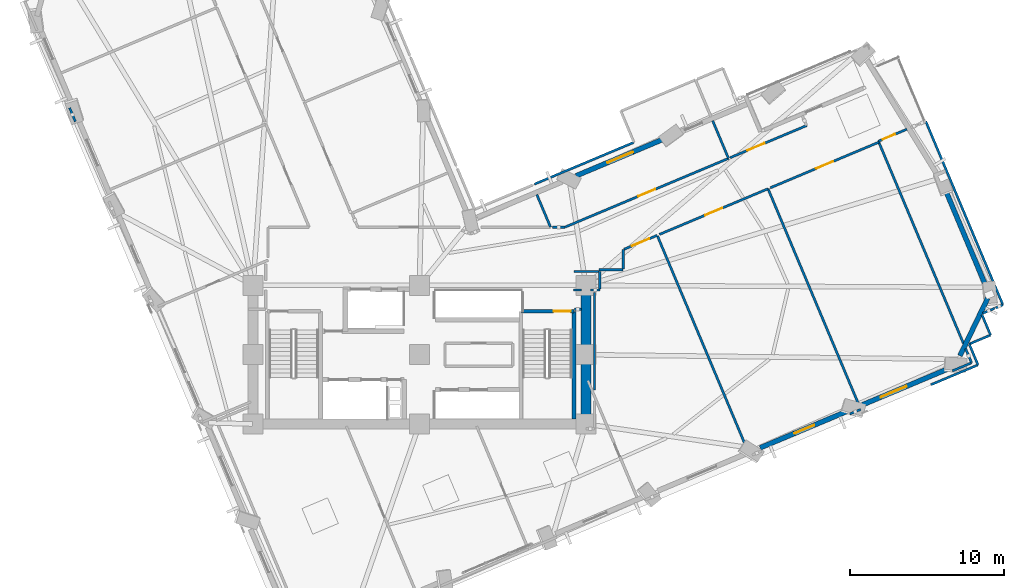
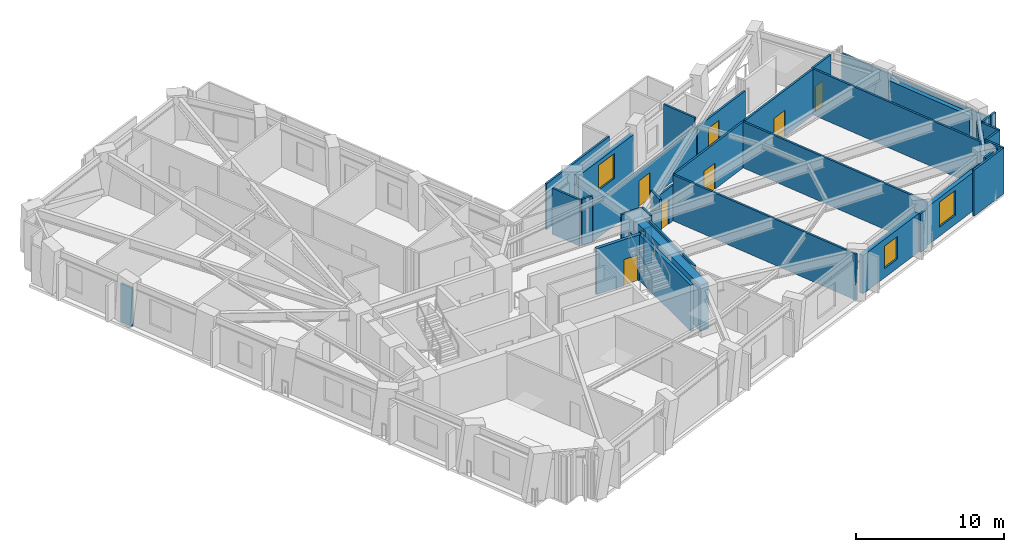
# One storey, part 12 of 18: 40 walls, 7 doors, 3 windows, 10 openings.
"""IFC4 building model written with IfcOpenShell, lengths in metres."""

from ifc_helpers import new_model, si_unit, direction, frame, frame_2d, origin, place, context, subcontext, project, spatial, rectangle, extrude, material, layer, layer_set, type_object, element, fill, save


model = new_model("IFC4")

# Units and contexts
model_context = context("Model", 3, precision=1e-05, world=origin(), true_north=direction((0.0, 1.0)))
body_context = subcontext(model_context, "Body", "Model", "MODEL_VIEW")
ifc_project = project(units=[si_unit("LENGTHUNIT", "METRE"), si_unit("AREAUNIT", "SQUARE_METRE"), si_unit("VOLUMEUNIT", "CUBIC_METRE"), si_unit("PLANEANGLEUNIT", "RADIAN"), si_unit("MASSUNIT", "GRAM", prefix="KILO")], contexts=[model_context])

# Site, building, storey
site_placement = place(None, origin())
site = spatial("IfcSite", under=ifc_project, at=site_placement, CompositionType="ELEMENT")
building_placement = place(site_placement, origin())
building = spatial("IfcBuilding", under=site, at=building_placement, Name="Gaonmaruhae Medical Tower", CompositionType="ELEMENT")
storey_placement = place(building_placement, frame((0.0, 0.0, 120.39990234375)))
storey = spatial("IfcBuildingStorey", under=building, at=storey_placement, Name="L28", CompositionType="ELEMENT", Elevation=120.39990234375)

# Wall
ifc_material_1 = material(Name="Concrete C60/75", Category="concrete")
ifc_layer_1 = layer(ifc_material_1, 0.64990234375)
ifc_layer_set_1 = layer_set([ifc_layer_1], Name="Concrete C60/75")
wall_type_1 = type_object("IfcWallType", Name="CW-650 Zone 2 Core Shear Wall", PredefinedType="SHEAR", material=ifc_layer_set_1)
wall_1_placement = place(storey_placement, frame((35.60009765625, 7.800048828125, 0.0), z_axis=(0.0, 0.0, 1.0), x_axis=(0.0, 1.0, 0.0)))
element("IfcWall", 1, at=wall_1_placement, inside=storey, type_object=wall_type_1, Name="L28 Core Shear Wall CSW-E1", PredefinedType="SHEAR", context=body_context, shape_type="SweptSolid", body=[
    extrude(rectangle(XDim=9.0, YDim=0.64990234375, at=frame_2d((4.5, 0.0))), origin(), (0.0, 0.0, 1.0), 3.780029296875),
])

# Wall, opening, window
ifc_material_2 = material(Name="Precast concrete C45/55", Category="concrete")
ifc_layer_2 = layer(ifc_material_2, 0.320068359375)
ifc_layer_set_2 = layer_set([ifc_layer_2], Name="Precast concrete C45/55")
wall_type_2 = type_object("IfcWallType", Name="EW-320 Lower Precast Masonry-Frame Facade Wall", PredefinedType="SOLIDWALL", material=ifc_layer_set_2)
wall_2_placement = place(storey_placement, frame((52.63671875, 8.66650390625, 0.0), z_axis=(0.0, 0.0, 1.0), x_axis=(-0.921850291978, -0.387546176836, 0.0)))
wall_2 = element("IfcWall", 2, at=wall_2_placement, inside=storey, type_object=wall_type_2, Name="L28 Precast Masonry-Frame Wall S05-S06", PredefinedType="SOLIDWALL", context=body_context, shape_type="SweptSolid", body=[
    extrude(rectangle(XDim=6.218505859375, YDim=0.320068359375, at=frame_2d((3.109375, 0.0))), origin(), (0.0, 0.0, 1.0), 3.1650390625),
])
opening_1_placement = place(wall_2_placement, frame((2.4111328125, 0.0, 0.75)))
opening_1 = element("IfcOpeningElement", 3, at=opening_1_placement, cuts=wall_2, Name="Opening WN-03", PredefinedType="OPENING", context=body_context, shape_type="SweptSolid", body=[
    extrude(rectangle(XDim=1.39990234375, YDim=1.85009765625, at=frame_2d((0.699951171875, 0.925048828125))), frame((0.0, 0.169921875, 0.0), z_axis=(0.0, -1.0, 0.0), x_axis=(1.0, 0.0, 0.0)), (0.0, 0.0, 1.0), 0.340087890625),
])
ifc_material_3 = material(Name="Anodised aluminium and Low-E double glazing", Category="aluminium")
window_type_1 = type_object("IfcWindowType", Name="WN-03 Isolation Ward Punched Window 1400x1850", PartitioningType="SINGLE_PANEL", PredefinedType="WINDOW", material=ifc_material_3)
window_1_placement = place(opening_1_placement, origin())
window_1 = element("IfcWindow", 4, at=window_1_placement, inside=storey, type_object=window_type_1, Name="L28 Modular Facade Window S05", OverallHeight=1.85009765625, OverallWidth=1.39990234375, PartitioningType="SINGLE_PANEL", PredefinedType="WINDOW", context=body_context, shape_type="SweptSolid", body=[
    extrude(rectangle(XDim=1.39990234375, YDim=1.85009765625, at=frame_2d((0.699951171875, 0.925048828125))), frame((0.0, 0.030029296875, 0.0), z_axis=(0.0, -1.0, 0.0), x_axis=(1.0, 0.0, 0.0)), (0.0, 0.0, 1.0), 0.06005859375),
])
fill(opening_1, window_1)

wall_3_placement = place(storey_placement, frame((59.288330078125, 11.46240234375, 0.0), z_axis=(0.0, 0.0, 1.0), x_axis=(-0.92186784653, -0.387504417438, 0.0)))
wall_3 = element("IfcWall", 5, at=wall_3_placement, inside=storey, type_object=wall_type_2, Name="L28 Precast Masonry-Frame Wall S06-S07", PredefinedType="SOLIDWALL", context=body_context, shape_type="SweptSolid", body=[
    extrude(rectangle(XDim=6.242431640625, YDim=0.320068359375, at=frame_2d((3.12109375, 0.0))), origin(), (0.0, 0.0, 1.0), 3.1650390625),
])
opening_2_placement = place(wall_3_placement, frame((3.14013671875, 0.0, 0.75)))
opening_2 = element("IfcOpeningElement", 6, at=opening_2_placement, cuts=wall_3, Name="Opening WN-04", PredefinedType="OPENING", context=body_context, shape_type="SweptSolid", body=[
    extrude(rectangle(XDim=1.800048828125, YDim=2.050048828125, at=frame_2d((0.89990234375, 1.02490234375))), frame((0.0, 0.169921875, 0.0), z_axis=(0.0, -1.0, 0.0), x_axis=(1.0, 0.0, 0.0)), (0.0, 0.0, 1.0), 0.340087890625),
])
window_type_2 = type_object("IfcWindowType", Name="WN-04 Clinic & Consult Punched Window 1800x2050", PartitioningType="SINGLE_PANEL", PredefinedType="WINDOW", material=ifc_material_3)
window_2_placement = place(opening_2_placement, origin())
window_2 = element("IfcWindow", 7, at=window_2_placement, inside=storey, type_object=window_type_2, Name="L28 Modular Facade Window S06", OverallHeight=2.050048828125, OverallWidth=1.800048828125, PartitioningType="SINGLE_PANEL", PredefinedType="WINDOW", context=body_context, shape_type="SweptSolid", body=[
    extrude(rectangle(XDim=1.800048828125, YDim=2.050048828125, at=frame_2d((0.89990234375, 1.02490234375))), frame((0.0, 0.030029296875, 0.0), z_axis=(0.0, -1.0, 0.0), x_axis=(1.0, 0.0, 0.0)), (0.0, 0.0, 1.0), 0.06005859375),
])
fill(opening_2, window_2)

# Walls
wall_4_placement = place(storey_placement, frame((61.6748046875, 15.9716796875, 0.0), z_axis=(0.0, 0.0, 1.0), x_axis=(-0.434493746085, -0.900674849551, 0.0)))
element("IfcWall", 8, at=wall_4_placement, inside=storey, type_object=wall_type_2, Name="L28 Precast Masonry-Frame Wall S07-E01", PredefinedType="SOLIDWALL", context=body_context, shape_type="SweptSolid", body=[
    extrude(rectangle(XDim=4.14501953125, YDim=0.320068359375, at=frame_2d((2.072509765625, 0.0))), origin(), (0.0, 0.0, 1.0), 3.1650390625),
])
wall_5_placement = place(storey_placement, frame((58.87841796875, 23.114501953125, 0.0), z_axis=(0.0, 0.0, 1.0), x_axis=(0.387495228719, -0.921871708927, 0.0)))
element("IfcWall", 9, at=wall_5_placement, inside=storey, type_object=wall_type_2, Name="L28 Precast Masonry-Frame Wall E01-E02", PredefinedType="SOLIDWALL", context=body_context, shape_type="SweptSolid", body=[
    extrude(rectangle(XDim=6.83984375, YDim=0.320068359375, at=frame_2d((3.419921875, 0.0))), origin(), (0.0, 0.0, 1.0), 3.1650390625),
])

# Wall, opening, window
wall_6_placement = place(storey_placement, frame((34.959716796875, 23.906982421875, 0.0), z_axis=(0.0, 0.0, 1.0), x_axis=(0.921853504895, 0.38753853423, 0.0)))
wall_6 = element("IfcWall", 10, at=wall_6_placement, inside=storey, type_object=wall_type_2, Name="L28 Precast Masonry-Frame Wall EN02-EN03", PredefinedType="SOLIDWALL", context=body_context, shape_type="SweptSolid", body=[
    extrude(rectangle(XDim=6.2109375, YDim=0.320068359375, at=frame_2d((3.10546875, 0.0))), origin(), (0.0, 0.0, 1.0), 3.1650390625),
])
opening_3_placement = place(wall_6_placement, frame((2.20458984375, 0.0, 0.75)))
opening_3 = element("IfcOpeningElement", 11, at=opening_3_placement, cuts=wall_6, Name="Opening WN-04", PredefinedType="OPENING", context=body_context, shape_type="SweptSolid", body=[
    extrude(rectangle(XDim=1.800048828125, YDim=2.050048828125, at=frame_2d((0.89990234375, 1.02490234375))), frame((0.0, 0.169921875, 0.0), z_axis=(0.0, -1.0, 0.0), x_axis=(1.0, 0.0, 0.0)), (0.0, 0.0, 1.0), 0.340087890625),
])
window_3_placement = place(opening_3_placement, origin())
window_3 = element("IfcWindow", 12, at=window_3_placement, inside=storey, type_object=window_type_2, Name="L28 Modular Facade Window EN02", OverallHeight=2.050048828125, OverallWidth=1.800048828125, PartitioningType="SINGLE_PANEL", PredefinedType="WINDOW", context=body_context, shape_type="SweptSolid", body=[
    extrude(rectangle(XDim=1.800048828125, YDim=2.050048828125, at=frame_2d((0.89990234375, 1.02490234375))), frame((0.0, 0.030029296875, 0.0), z_axis=(0.0, -1.0, 0.0), x_axis=(1.0, 0.0, 0.0)), (0.0, 0.0, 1.0), 0.06005859375),
])
fill(opening_3, window_3)

# Walls
ifc_material_4 = material(Name="Gypsum board partition", Category="gypsum")
ifc_layer_3 = layer(ifc_material_4, 0.14990234375)
ifc_layer_set_3 = layer_set([ifc_layer_3], Name="Gypsum board partition")
wall_type_3 = type_object("IfcWallType", Name="PW-150 Rated Clinical Corridor Partition", PredefinedType="PARTITIONING", material=ifc_layer_set_3)
wall_7_placement = place(storey_placement, frame((34.777099609375, 16.5, 0.0), z_axis=(0.0, 0.0, 1.0), x_axis=(1.0, 0.0, 0.0)))
element("IfcWall", 13, at=wall_7_placement, inside=storey, type_object=wall_type_3, Name="L28 Interior Partition L28-SUP04-18", PredefinedType="PARTITIONING", context=body_context, shape_type="SweptSolid", body=[
    extrude(rectangle(XDim=0.52294921875, YDim=0.14990234375, at=frame_2d((0.261474609375, 0.0))), origin(), (0.0, 0.0, 1.0), 2.965087890625),
])
wall_8_placement = place(storey_placement, frame((35.89990234375, 16.5, 0.0), z_axis=(0.0, 0.0, 1.0), x_axis=(1.0, 0.0, 0.0)))
element("IfcWall", 14, at=wall_8_placement, inside=storey, type_object=wall_type_3, Name="L28 Interior Partition L28-SUP04-19", PredefinedType="PARTITIONING", context=body_context, shape_type="SweptSolid", body=[
    extrude(rectangle(XDim=0.60009765625, YDim=0.14990234375, at=frame_2d((0.300048828125, 0.0))), origin(), (0.0, 0.0, 1.0), 2.965087890625),
])
wall_9_placement = place(storey_placement, frame((36.5, 16.550048828125, 0.0), z_axis=(0.0, 0.0, 1.0), x_axis=(0.0, 1.0, 0.0)))
element("IfcWall", 15, at=wall_9_placement, inside=storey, type_object=wall_type_3, Name="L28 Interior Partition L28-SUP04-20", PredefinedType="PARTITIONING", context=body_context, shape_type="SweptSolid", body=[
    extrude(rectangle(XDim=1.14990234375, YDim=0.14990234375, at=frame_2d((0.574951171875, 0.0))), origin(), (0.0, 0.0, 1.0), 3.780029296875),
])
wall_10_placement = place(storey_placement, frame((36.449951171875, 17.699951171875, 0.0), z_axis=(0.0, 0.0, 1.0), x_axis=(-1.0, 0.0, 0.0)))
element("IfcWall", 16, at=wall_10_placement, inside=storey, type_object=wall_type_3, Name="L28 Interior Partition L28-SUP04-21", PredefinedType="PARTITIONING", context=body_context, shape_type="SweptSolid", body=[
    extrude(rectangle(XDim=1.619873046875, YDim=0.14990234375, at=frame_2d((0.81005859375, 0.0))), origin(), (0.0, 0.0, 1.0), 3.780029296875),
])
wall_11_placement = place(storey_placement, frame((36.449951171875, 17.821044921875, 0.0), z_axis=(0.0, 0.0, 1.0), x_axis=(0.999999804321, 0.000625586365, 0.0)))
element("IfcWall", 17, at=wall_11_placement, inside=storey, type_object=wall_type_3, Name="L28 Interior Partition L28-SUP04-22", PredefinedType="PARTITIONING", context=body_context, shape_type="SweptSolid", body=[
    extrude(rectangle(XDim=1.56103515625, YDim=0.14990234375, at=frame_2d((0.780517578125, 0.0))), origin(), (0.0, 0.0, 1.0), 2.965087890625),
])
wall_12_placement = place(storey_placement, frame((38.011962890625, 17.8720703125, 0.0), z_axis=(0.0, 0.0, 1.0), x_axis=(0.014440336502, 0.999895732905, 0.0)))
element("IfcWall", 18, at=wall_12_placement, inside=storey, type_object=wall_type_3, Name="L28 Interior Partition L28-SUP04-23", PredefinedType="PARTITIONING", context=body_context, shape_type="SweptSolid", body=[
    extrude(rectangle(XDim=1.251220703125, YDim=0.14990234375, at=frame_2d((0.62548828125, 0.0))), origin(), (0.0, 0.0, 1.0), 3.780029296875),
])

# Wall, opening, door
wall_13_placement = place(storey_placement, frame((38.075927734375, 19.14208984375, 0.0), z_axis=(0.0, 0.0, 1.0), x_axis=(0.921804802064, 0.387654365244, 0.0)))
wall_13 = element("IfcWall", 19, at=wall_13_placement, inside=storey, type_object=wall_type_3, Name="L28 Interior Partition L28-SUP04-24", PredefinedType="PARTITIONING", context=body_context, shape_type="SweptSolid", body=[
    extrude(rectangle(XDim=2.33154296875, YDim=0.14990234375, at=frame_2d((1.165771484375, 0.0))), origin(), (0.0, 0.0, 1.0), 2.945068359375),
])
opening_4_placement = place(wall_13_placement, frame((0.565673828125, 0.0, 0.0)))
opening_4 = element("IfcOpeningElement", 20, at=opening_4_placement, cuts=wall_13, Name="Opening CD-02", PredefinedType="OPENING", context=body_context, shape_type="SweptSolid", body=[
    extrude(rectangle(XDim=1.199951171875, YDim=2.14990234375, at=frame_2d((0.60009765625, 1.074951171875))), frame((0.0, 0.0849609375, 0.0), z_axis=(0.0, -1.0, 0.0), x_axis=(1.0, 0.0, 0.0)), (0.0, 0.0, 1.0), 0.169921875),
])
ifc_material_5 = material(Name="Antimicrobial laminate timber fire door", Category="wood")
door_type_1 = type_object("IfcDoorType", Name="CD-02 Clinical Treatment & Procedure Door 1200x2150", OperationType="NOTDEFINED", PredefinedType="DOOR", material=ifc_material_5)
door_1_placement = place(opening_4_placement, origin())
door_1 = element("IfcDoor", 21, at=door_1_placement, inside=storey, type_object=door_type_1, Name="L28 Clinical Biomedical Charting Office Door", OperationType="SINGLE_SWING_LEFT", OverallHeight=2.14990234375, OverallWidth=1.199951171875, PredefinedType="DOOR", context=body_context, shape_type="SweptSolid", body=[
    extrude(rectangle(XDim=1.199951171875, YDim=2.14990234375, at=frame_2d((0.60009765625, 1.074951171875))), frame((0.0, 0.02490234375, 0.0), z_axis=(0.0, -1.0, 0.0), x_axis=(1.0, 0.0, 0.0)), (0.0, 0.0, 1.0), 0.050048828125),
])
fill(opening_4, door_1)

# Walls
wall_14_placement = place(storey_placement, frame((40.243896484375, 20.0, 0.0), z_axis=(0.0, 0.0, 1.0), x_axis=(0.387518279995, -0.921862019323, 0.0)))
element("IfcWall", 22, at=wall_14_placement, inside=storey, type_object=wall_type_3, Name="L28 Interior Partition L28-SUP04-25", PredefinedType="PARTITIONING", context=body_context, shape_type="SweptSolid", body=[
    extrude(rectangle(XDim=15.480712890625, YDim=0.14990234375, at=frame_2d((7.740234375, 0.0))), origin(), (0.0, 0.0, 1.0), 3.780029296875),
])
wall_15_placement = place(storey_placement, frame((36.14990234375, 10.02392578125, 0.0), z_axis=(0.0, 0.0, 1.0), x_axis=(0.0, 1.0, 0.0)))
element("IfcWall", 23, at=wall_15_placement, inside=storey, type_object=wall_type_3, Name="L28 Interior Partition L28-SUP04-27", PredefinedType="PARTITIONING", context=body_context, shape_type="SweptSolid", body=[
    extrude(rectangle(XDim=6.316162109375, YDim=0.14990234375, at=frame_2d((3.158203125, 0.0))), origin(), (0.0, 0.0, 1.0), 3.780029296875),
])
wall_16_placement = place(storey_placement, frame((35.300048828125, 15.260009765625, 0.0), z_axis=(0.0, 0.0, 1.0), x_axis=(-1.0, 0.0, 0.0)))
element("IfcWall", 24, at=wall_16_placement, inside=storey, type_object=wall_type_3, Name="L28 Interior Partition L28-SUP04-28", PredefinedType="PARTITIONING", context=body_context, shape_type="SweptSolid", body=[
    extrude(rectangle(XDim=0.449951171875, YDim=0.14990234375, at=frame_2d((0.22509765625, 0.0))), origin(), (0.0, 0.0, 1.0), 3.780029296875),
])

# Wall, opening, door
wall_17_placement = place(storey_placement, frame((40.3720703125, 20.10791015625, 0.0), z_axis=(0.0, 0.0, 1.0), x_axis=(0.921900405163, 0.387426951774, 0.0)))
wall_17 = element("IfcWall", 25, at=wall_17_placement, inside=storey, type_object=wall_type_3, Name="L28 Interior Partition L28-SUP05-29", PredefinedType="PARTITIONING", context=body_context, shape_type="SweptSolid", body=[
    extrude(rectangle(XDim=7.640625, YDim=0.14990234375, at=frame_2d((3.8203125, 0.0))), origin(), (0.0, 0.0, 1.0), 3.780029296875),
])
opening_5_placement = place(wall_17_placement, frame((3.22021484375, 0.0, 0.0)))
opening_5 = element("IfcOpeningElement", 26, at=opening_5_placement, cuts=wall_17, Name="Opening CD-02", PredefinedType="OPENING", context=body_context, shape_type="SweptSolid", body=[
    extrude(rectangle(XDim=1.199951171875, YDim=2.14990234375, at=frame_2d((0.60009765625, 1.074951171875))), frame((0.0, 0.0849609375, 0.0), z_axis=(0.0, -1.0, 0.0), x_axis=(1.0, 0.0, 0.0)), (0.0, 0.0, 1.0), 0.169921875),
])
door_2_placement = place(opening_5_placement, origin())
door_2 = element("IfcDoor", 27, at=door_2_placement, inside=storey, type_object=door_type_1, Name="L28 Clinical Biomedical Charting Office Door", OperationType="SINGLE_SWING_RIGHT", OverallHeight=2.14990234375, OverallWidth=1.199951171875, PredefinedType="DOOR", context=body_context, shape_type="SweptSolid", body=[
    extrude(rectangle(XDim=1.199951171875, YDim=2.14990234375, at=frame_2d((0.60009765625, 1.074951171875))), frame((0.0, 0.02490234375, 0.0), z_axis=(0.0, -1.0, 0.0), x_axis=(1.0, 0.0, 0.0)), (0.0, 0.0, 1.0), 0.050048828125),
])
fill(opening_5, door_2)

# Walls
wall_18_placement = place(storey_placement, frame((47.416015625, 23.068115234375, 0.0), z_axis=(0.0, 0.0, 1.0), x_axis=(0.387521386552, -0.921860713429, 0.0)))
element("IfcWall", 28, at=wall_18_placement, inside=storey, type_object=wall_type_3, Name="L28 Interior Partition L28-SUP05-30", PredefinedType="PARTITIONING", context=body_context, shape_type="SweptSolid", body=[
    extrude(rectangle(XDim=15.529541015625, YDim=0.14990234375, at=frame_2d((7.7646484375, 0.0))), origin(), (0.0, 0.0, 1.0), 3.780029296875),
])
wall_19_placement = place(storey_placement, frame((53.43408203125, 8.751953125, 0.0), z_axis=(0.0, 0.0, 1.0), x_axis=(-0.921754991199, -0.387772789401, 0.0)))
element("IfcWall", 29, at=wall_19_placement, inside=storey, type_object=wall_type_3, Name="L28 Interior Partition L28-SUP05-31", PredefinedType="PARTITIONING", context=body_context, shape_type="SweptSolid", body=[
    extrude(rectangle(XDim=0.76806640625, YDim=0.14990234375, at=frame_2d((0.384033203125, 0.0))), origin(), (0.0, 0.0, 1.0), 3.1650390625),
])

# Wall, opening, door
wall_20_placement = place(storey_placement, frame((47.56298828125, 23.1298828125, 0.0), z_axis=(0.0, 0.0, 1.0), x_axis=(0.921835553327, 0.387581233579, 0.0)))
wall_20 = element("IfcWall", 30, at=wall_20_placement, inside=storey, type_object=wall_type_3, Name="L28 Interior Partition L28-SUP06-33", PredefinedType="PARTITIONING", context=body_context, shape_type="SweptSolid", body=[
    extrude(rectangle(XDim=7.64013671875, YDim=0.14990234375, at=frame_2d((3.820068359375, 0.0))), origin(), (0.0, 0.0, 1.0), 3.780029296875),
])
opening_6_placement = place(wall_20_placement, frame((3.22021484375, 0.0, 0.0)))
opening_6 = element("IfcOpeningElement", 31, at=opening_6_placement, cuts=wall_20, Name="Opening CD-02", PredefinedType="OPENING", context=body_context, shape_type="SweptSolid", body=[
    extrude(rectangle(XDim=1.199951171875, YDim=2.14990234375, at=frame_2d((0.60009765625, 1.074951171875))), frame((0.0, 0.0849609375, 0.0), z_axis=(0.0, -1.0, 0.0), x_axis=(1.0, 0.0, 0.0)), (0.0, 0.0, 1.0), 0.169921875),
])
door_3_placement = place(opening_6_placement, origin())
door_3 = element("IfcDoor", 32, at=door_3_placement, inside=storey, type_object=door_type_1, Name="L28 Clinical Biomedical Charting Office Door", OperationType="SINGLE_SWING_RIGHT", OverallHeight=2.14990234375, OverallWidth=1.199951171875, PredefinedType="DOOR", context=body_context, shape_type="SweptSolid", body=[
    extrude(rectangle(XDim=1.199951171875, YDim=2.14990234375, at=frame_2d((0.60009765625, 1.074951171875))), frame((0.0, 0.02490234375, 0.0), z_axis=(0.0, -1.0, 0.0), x_axis=(1.0, 0.0, 0.0)), (0.0, 0.0, 1.0), 0.050048828125),
])
fill(opening_6, door_3)

# Walls
wall_21_placement = place(storey_placement, frame((54.60595703125, 26.091064453125, 0.0), z_axis=(0.0, 0.0, 1.0), x_axis=(0.387548900747, -0.92184914684, 0.0)))
element("IfcWall", 33, at=wall_21_placement, inside=storey, type_object=wall_type_3, Name="L28 Interior Partition L28-SUP06-34", PredefinedType="PARTITIONING", context=body_context, shape_type="SweptSolid", body=[
    extrude(rectangle(XDim=14.17919921875, YDim=0.14990234375, at=frame_2d((7.089599609375, 0.0))), origin(), (0.0, 0.0, 1.0), 3.780029296875),
])
wall_22_placement = place(storey_placement, frame((60.239990234375, 12.68798828125, 0.0), z_axis=(0.0, 0.0, 1.0), x_axis=(0.387693357822, -0.921788403214, 0.0)))
element("IfcWall", 34, at=wall_22_placement, inside=storey, type_object=wall_type_3, Name="L28 Interior Partition L28-SUP06-35", PredefinedType="PARTITIONING", context=body_context, shape_type="SweptSolid", body=[
    extrude(rectangle(XDim=0.990478515625, YDim=0.14990234375, at=frame_2d((0.4951171875, 0.0))), origin(), (0.0, 0.0, 1.0), 3.780029296875),
])
wall_23_placement = place(storey_placement, frame((60.6240234375, 11.77490234375, 0.0), z_axis=(0.0, 0.0, 1.0), x_axis=(-0.921940859641, -0.387330674391, 0.0)))
element("IfcWall", 35, at=wall_23_placement, inside=storey, type_object=wall_type_3, Name="L28 Interior Partition L28-SUP06-36", PredefinedType="PARTITIONING", context=body_context, shape_type="SweptSolid", body=[
    extrude(rectangle(XDim=1.3525390625, YDim=0.14990234375, at=frame_2d((0.67626953125, 0.0))), origin(), (0.0, 0.0, 1.0), 3.780029296875),
])
wall_24_placement = place(storey_placement, frame((2.467041015625, 27.431884765625, 0.0), z_axis=(0.0, 0.0, 1.0), x_axis=(-0.38710293044, 0.922036507544, 0.0)))
element("IfcWall", 36, at=wall_24_placement, inside=storey, type_object=wall_type_3, Name="L28 Interior Partition L28-WOF09-51", PredefinedType="PARTITIONING", context=body_context, shape_type="SweptSolid", body=[
    extrude(rectangle(XDim=0.961181640625, YDim=0.14990234375, at=frame_2d((0.48046875, 0.0))), origin(), (0.0, 0.0, 1.0), 3.1650390625),
])
wall_25_placement = place(storey_placement, frame((32.4130859375, 22.68994140625, 0.0), z_axis=(0.0, 0.0, 1.0), x_axis=(0.387537134963, -0.921854093132, 0.0)))
element("IfcWall", 37, at=wall_25_placement, inside=storey, type_object=wall_type_3, Name="L28 Interior Partition L28-IE01-67", PredefinedType="PARTITIONING", context=body_context, shape_type="SweptSolid", body=[
    extrude(rectangle(XDim=2.288818359375, YDim=0.14990234375, at=frame_2d((1.14453125, 0.0))), origin(), (0.0, 0.0, 1.0), 3.780029296875),
])
wall_26_placement = place(storey_placement, frame((32.258056640625, 23.367919921875, 0.0), z_axis=(0.0, 0.0, 1.0), x_axis=(0.921840796655, 0.387568762443, 0.0)))
element("IfcWall", 38, at=wall_26_placement, inside=storey, type_object=wall_type_3, Name="L28 Interior Partition L28-IE02-69", PredefinedType="PARTITIONING", context=body_context, shape_type="SweptSolid", body=[
    extrude(rectangle(XDim=6.997802734375, YDim=0.14990234375, at=frame_2d((3.4990234375, 0.0))), origin(), (0.0, 0.0, 1.0), 3.780029296875),
])
wall_27_placement = place(storey_placement, frame((43.822021484375, 27.486083984375, 0.0), z_axis=(0.0, 0.0, 1.0), x_axis=(0.387518501876, -0.921861926052, 0.0)))
element("IfcWall", 39, at=wall_27_placement, inside=storey, type_object=wall_type_3, Name="L28 Interior Partition L28-IE02-73", PredefinedType="PARTITIONING", context=body_context, shape_type="SweptSolid", body=[
    extrude(rectangle(XDim=2.655517578125, YDim=0.14990234375, at=frame_2d((1.32763671875, 0.0))), origin(), (0.0, 0.0, 1.0), 3.780029296875),
])

# Wall, opening, door
wall_28_placement = place(storey_placement, frame((44.85107421875, 25.0380859375, 0.0), z_axis=(0.0, 0.0, 1.0), x_axis=(-0.921889203051, -0.38745360664, 0.0)))
wall_28 = element("IfcWall", 40, at=wall_28_placement, inside=storey, type_object=wall_type_3, Name="L28 Interior Partition L28-IE02-74", PredefinedType="PARTITIONING", context=body_context, shape_type="SweptSolid", body=[
    extrude(rectangle(XDim=11.505859375, YDim=0.14990234375, at=frame_2d((5.7529296875, 0.0))), origin(), (0.0, 0.0, 1.0), 2.945068359375),
])
opening_7_placement = place(wall_28_placement, frame((5.15283203125, 0.0, 0.0)))
opening_7 = element("IfcOpeningElement", 41, at=opening_7_placement, cuts=wall_28, Name="Opening CD-02", PredefinedType="OPENING", context=body_context, shape_type="SweptSolid", body=[
    extrude(rectangle(XDim=1.199951171875, YDim=2.14990234375, at=frame_2d((0.60009765625, 1.074951171875))), frame((0.0, 0.0849609375, 0.0), z_axis=(0.0, -1.0, 0.0), x_axis=(1.0, 0.0, 0.0)), (0.0, 0.0, 1.0), 0.169921875),
])
door_4_placement = place(opening_7_placement, origin())
door_4 = element("IfcDoor", 42, at=door_4_placement, inside=storey, type_object=door_type_1, Name="L28 Acute Treatment Examination Room Door", OperationType="SINGLE_SWING_RIGHT", OverallHeight=2.14990234375, OverallWidth=1.199951171875, PredefinedType="DOOR", context=body_context, shape_type="SweptSolid", body=[
    extrude(rectangle(XDim=1.199951171875, YDim=2.14990234375, at=frame_2d((0.60009765625, 1.074951171875))), frame((0.0, 0.02490234375, 0.0), z_axis=(0.0, -1.0, 0.0), x_axis=(1.0, 0.0, 0.0)), (0.0, 0.0, 1.0), 0.050048828125),
])
fill(opening_7, door_4)

# Wall
wall_29_placement = place(storey_placement, frame((34.243896484375, 20.580078125, 0.0), z_axis=(0.0, 0.0, 1.0), x_axis=(-1.0, 0.0, 0.0)))
element("IfcWall", 43, at=wall_29_placement, inside=storey, type_object=wall_type_3, Name="L28 Interior Partition L28-IE02-75", PredefinedType="PARTITIONING", context=body_context, shape_type="SweptSolid", body=[
    extrude(rectangle(XDim=0.81396484375, YDim=0.14990234375, at=frame_2d((0.406982421875, 0.0))), origin(), (0.0, 0.0, 1.0), 3.780029296875),
])

# Wall, opening, door
wall_30_placement = place(storey_placement, frame((49.9140625, 27.1669921875, 0.0), z_axis=(0.0, 0.0, 1.0), x_axis=(-0.921867857549, -0.387504391225, 0.0)))
wall_30 = element("IfcWall", 44, at=wall_30_placement, inside=storey, type_object=wall_type_3, Name="L28 Interior Partition L28-IE03-77", PredefinedType="PARTITIONING", context=body_context, shape_type="SweptSolid", body=[
    extrude(rectangle(XDim=5.372802734375, YDim=0.14990234375, at=frame_2d((2.6865234375, 0.0))), origin(), (0.0, 0.0, 1.0), 2.945068359375),
])
opening_8_placement = place(wall_30_placement, frame((2.95361328125, 0.0, 0.0)))
opening_8 = element("IfcOpeningElement", 45, at=opening_8_placement, cuts=wall_30, Name="Opening CD-02", PredefinedType="OPENING", context=body_context, shape_type="SweptSolid", body=[
    extrude(rectangle(XDim=1.199951171875, YDim=2.14990234375, at=frame_2d((0.60009765625, 1.074951171875))), frame((0.0, 0.0849609375, 0.0), z_axis=(0.0, -1.0, 0.0), x_axis=(1.0, 0.0, 0.0)), (0.0, 0.0, 1.0), 0.169921875),
])
door_5_placement = place(opening_8_placement, origin())
door_5 = element("IfcDoor", 46, at=door_5_placement, inside=storey, type_object=door_type_1, Name="L28 Clean Medication Preparation Room Door", OperationType="SINGLE_SWING_RIGHT", OverallHeight=2.14990234375, OverallWidth=1.199951171875, PredefinedType="DOOR", context=body_context, shape_type="SweptSolid", body=[
    extrude(rectangle(XDim=1.199951171875, YDim=2.14990234375, at=frame_2d((0.60009765625, 1.074951171875))), frame((0.0, 0.02490234375, 0.0), z_axis=(0.0, -1.0, 0.0), x_axis=(1.0, 0.0, 0.0)), (0.0, 0.0, 1.0), 0.050048828125),
])
fill(opening_8, door_5)

# Walls
wall_31_placement = place(storey_placement, frame((61.85888671875, 13.572998046875, 0.0), z_axis=(0.0, 0.0, 1.0), x_axis=(-0.921917007589, -0.387387443161, 0.0)))
element("IfcWall", 47, at=wall_31_placement, inside=storey, type_object=wall_type_3, Name="L28 Interior Partition L28-RM02-95", PredefinedType="PARTITIONING", context=body_context, shape_type="SweptSolid", body=[
    extrude(rectangle(XDim=1.5, YDim=0.14990234375, at=frame_2d((0.75, 0.0))), origin(), (0.0, 0.0, 1.0), 3.780029296875),
])
wall_32_placement = place(storey_placement, frame((60.47607421875, 12.991943359375, 0.0), z_axis=(0.0, 0.0, 1.0), x_axis=(0.38709125779, -0.922041408041, 0.0)))
element("IfcWall", 48, at=wall_32_placement, inside=storey, type_object=wall_type_3, Name="L28 Interior Partition L28-RM02-96", PredefinedType="PARTITIONING", context=body_context, shape_type="SweptSolid", body=[
    extrude(rectangle(XDim=1.469482421875, YDim=0.14990234375, at=frame_2d((0.73486328125, 0.0))), origin(), (0.0, 0.0, 1.0), 3.780029296875),
])
wall_33_placement = place(storey_placement, frame((61.044921875, 11.636962890625, 0.0), z_axis=(0.0, 0.0, 1.0), x_axis=(-0.921794510366, -0.387678837002, 0.0)))
element("IfcWall", 49, at=wall_33_placement, inside=storey, type_object=wall_type_3, Name="L28 Interior Partition L28-RM02-97", PredefinedType="PARTITIONING", context=body_context, shape_type="SweptSolid", body=[
    extrude(rectangle(XDim=3.3193359375, YDim=0.14990234375, at=frame_2d((1.65966796875, 0.0))), origin(), (0.0, 0.0, 1.0), 3.780029296875),
])

# Wall, opening, door
wall_34_placement = place(storey_placement, frame((54.5791015625, 26.155029296875, 0.0), z_axis=(0.0, 0.0, 1.0), x_axis=(0.921777516639, 0.387719240971, 0.0)))
wall_34 = element("IfcWall", 50, at=wall_34_placement, inside=storey, type_object=wall_type_3, Name="L28 Interior Partition L28-RM02-98", PredefinedType="PARTITIONING", context=body_context, shape_type="SweptSolid", body=[
    extrude(rectangle(XDim=2.003662109375, YDim=0.14990234375, at=frame_2d((1.001953125, 0.0))), origin(), (0.0, 0.0, 1.0), 3.780029296875),
])
opening_9_placement = place(wall_34_placement, frame((0.30908203125, 0.0, 0.0)))
opening_9 = element("IfcOpeningElement", 51, at=opening_9_placement, cuts=wall_34, Name="Opening AD-01", PredefinedType="OPENING", context=body_context, shape_type="SweptSolid", body=[
    extrude(rectangle(XDim=0.860107421875, YDim=2.06005859375, at=frame_2d((0.43017578125, 1.030029296875))), frame((0.0, 0.0849609375, 0.0), z_axis=(0.0, -1.0, 0.0), x_axis=(1.0, 0.0, 0.0)), (0.0, 0.0, 1.0), 0.169921875),
])
ifc_material_6 = material(Name="Powder-coated steel access door", Category="steel")
door_type_2 = type_object("IfcDoorType", Name="AD-01 Riser & Closet Access Fire Door 860x2060", OperationType="NOTDEFINED", PredefinedType="DOOR", material=ifc_material_6)
door_6_placement = place(opening_9_placement, origin())
door_6 = element("IfcDoor", 52, at=door_6_placement, inside=storey, type_object=door_type_2, Name="L28 Care Team Clinical Charting Office Sliding Door", OperationType="SLIDING_TO_LEFT", OverallHeight=2.06005859375, OverallWidth=0.860107421875, PredefinedType="DOOR", context=body_context, shape_type="SweptSolid", body=[
    extrude(rectangle(XDim=0.860107421875, YDim=2.06005859375, at=frame_2d((0.43017578125, 1.030029296875))), frame((0.0, 0.02490234375, 0.0), z_axis=(0.0, -1.0, 0.0), x_axis=(1.0, 0.0, 0.0)), (0.0, 0.0, 1.0), 0.050048828125),
])
fill(opening_9, door_6)

# Walls
wall_35_placement = place(storey_placement, frame((62.125, 15.31298828125, 0.0), z_axis=(0.0, 0.0, 1.0), x_axis=(-0.921542556587, -0.388277370444, 0.0)))
element("IfcWall", 53, at=wall_35_placement, inside=storey, type_object=wall_type_3, Name="L28 Interior Partition L28-RM02-103", PredefinedType="PARTITIONING", context=body_context, shape_type="SweptSolid", body=[
    extrude(rectangle(XDim=0.842041015625, YDim=0.14990234375, at=frame_2d((0.4208984375, 0.0))), origin(), (0.0, 0.0, 1.0), 3.780029296875),
])
wall_36_placement = place(storey_placement, frame((61.303955078125, 14.89208984375, 0.0), z_axis=(0.0, 0.0, 1.0), x_axis=(0.387774788678, -0.921754150121, 0.0)))
element("IfcWall", 54, at=wall_36_placement, inside=storey, type_object=wall_type_3, Name="L28 Interior Partition L28-RM02-104", PredefinedType="PARTITIONING", context=body_context, shape_type="SweptSolid", body=[
    extrude(rectangle(XDim=1.43115234375, YDim=0.14990234375, at=frame_2d((0.715576171875, 0.0))), origin(), (0.0, 0.0, 1.0), 3.780029296875),
])
wall_37_placement = place(storey_placement, frame((57.653076171875, 27.447998046875, 0.0), z_axis=(0.0, 0.0, 1.0), x_axis=(0.387512914278, -0.921864274863, 0.0)))
element("IfcWall", 55, at=wall_37_placement, inside=storey, type_object=wall_type_3, Name="L28 Interior Partition L28-RM03-106", PredefinedType="PARTITIONING", context=body_context, shape_type="SweptSolid", body=[
    extrude(rectangle(XDim=12.92041015625, YDim=0.14990234375, at=frame_2d((6.460205078125, 0.0))), origin(), (0.0, 0.0, 1.0), 3.1650390625),
])
wall_38_placement = place(storey_placement, frame((62.659912109375, 15.537109375, 0.0), z_axis=(0.0, 0.0, 1.0), x_axis=(-0.921988816371, -0.387216505958, 0.0)))
element("IfcWall", 56, at=wall_38_placement, inside=storey, type_object=wall_type_3, Name="L28 Interior Partition L28-RM03-107", PredefinedType="PARTITIONING", context=body_context, shape_type="SweptSolid", body=[
    extrude(rectangle(XDim=0.51953125, YDim=0.14990234375, at=frame_2d((0.259765625, 0.0))), origin(), (0.0, 0.0, 1.0), 3.780029296875),
])

# Wall, opening, door
ifc_material_7 = material(Name="Concrete C50/60", Category="concrete")
ifc_layer_4 = layer(ifc_material_7, 0.239990234375)
ifc_layer_set_4 = layer_set([ifc_layer_4], Name="Concrete C50/60")
wall_type_4 = type_object("IfcWallType", Name="SW-240 Dogleg Stair Tight Shaft Wall", PredefinedType="SOLIDWALL", material=ifc_layer_set_4)
wall_39_placement = place(storey_placement, frame((31.3701171875, 15.1201171875, 0.0), z_axis=(0.0, 0.0, 1.0), x_axis=(1.0, 0.0, 0.0)))
wall_39 = element("IfcWall", 57, at=wall_39_placement, inside=storey, type_object=wall_type_4, Name="L28 ST-02 Stair Shaft Wall SHW-ST-02-N", PredefinedType="SOLIDWALL", context=body_context, shape_type="SweptSolid", body=[
    extrude(rectangle(XDim=3.4599609375, YDim=0.239990234375, at=frame_2d((1.72998046875, 0.0))), origin(), (0.0, 0.0, 1.0), 3.780029296875),
])
opening_10_placement = place(wall_39_placement, frame((2.139892578125, 0.0, 0.0)))
opening_10 = element("IfcOpeningElement", 58, at=opening_10_placement, cuts=wall_39, Name="Opening FD-01", PredefinedType="OPENING", context=body_context, shape_type="SweptSolid", body=[
    extrude(rectangle(XDim=1.10009765625, YDim=2.14990234375, at=frame_2d((0.550048828125, 1.074951171875))), frame((0.0, 0.1298828125, 0.0), z_axis=(0.0, -1.0, 0.0), x_axis=(1.0, 0.0, 0.0)), (0.0, 0.0, 1.0), 0.260009765625),
])
ifc_material_8 = material(Name="Powder-coated steel fire door", Category="steel")
door_type_3 = type_object("IfcDoorType", Name="FD-01 Escape Stair Protected Fire Door 1100x2150", OperationType="NOTDEFINED", PredefinedType="DOOR", material=ifc_material_8)
door_7_placement = place(opening_10_placement, origin())
door_7 = element("IfcDoor", 59, at=door_7_placement, inside=storey, type_object=door_type_3, Name="L28 ST-02 Protected Escape Stair Door", OperationType="SINGLE_SWING_LEFT", OverallHeight=2.14990234375, OverallWidth=1.10009765625, PredefinedType="DOOR", context=body_context, shape_type="SweptSolid", body=[
    extrude(rectangle(XDim=1.10009765625, YDim=2.14990234375, at=frame_2d((0.550048828125, 1.074951171875))), frame((0.0, 0.02490234375, 0.0), z_axis=(0.0, -1.0, 0.0), x_axis=(1.0, 0.0, 0.0)), (0.0, 0.0, 1.0), 0.050048828125),
])
fill(opening_10, door_7)

# Wall
wall_40_placement = place(storey_placement, frame((34.830078125, 15.1201171875, 0.0), z_axis=(0.0, 0.0, 1.0), x_axis=(0.0, -1.0, 0.0)))
element("IfcWall", 60, at=wall_40_placement, inside=storey, type_object=wall_type_4, Name="L28 ST-02 Stair Shaft Wall SHW-ST-02-E", PredefinedType="SOLIDWALL", context=body_context, shape_type="SweptSolid", body=[
    extrude(rectangle(XDim=6.9951171875, YDim=0.239990234375, at=frame_2d((3.49755859375, 0.0))), origin(), (0.0, 0.0, 1.0), 3.780029296875),
])

save(model, "model.ifc")
